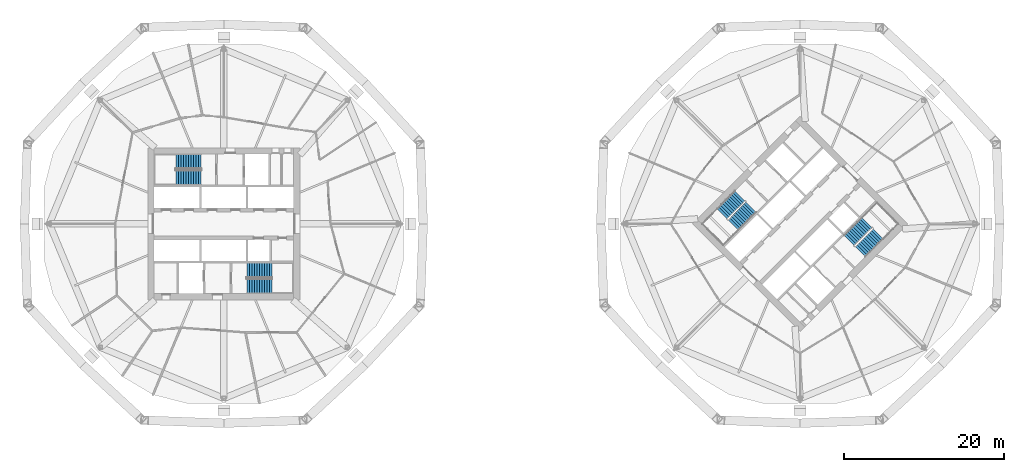
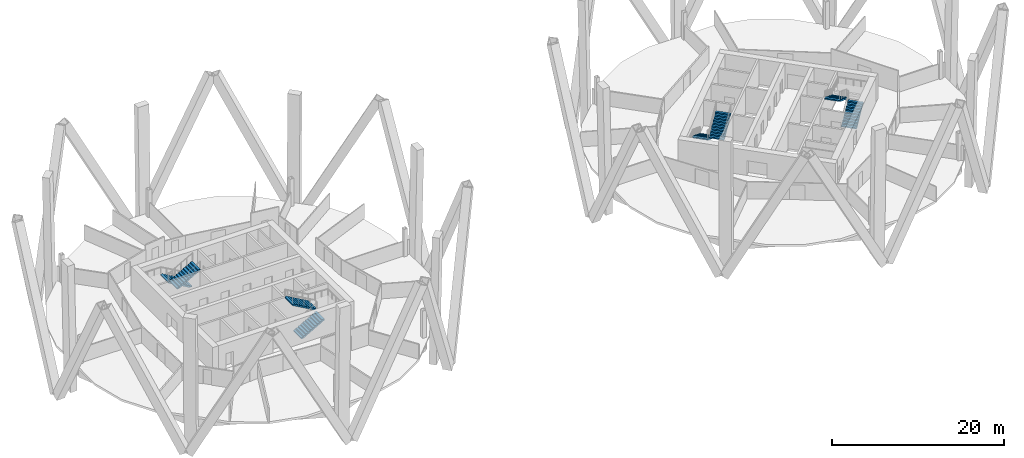
# One storey, part 8 of 10: 8 stair flights, 4 elements without a shape of their own.
"""IFC4 building model written with IfcOpenShell, lengths in metres."""

from ifc_helpers import new_model, si_unit, direction, frame, origin, place, context, subcontext, project, spatial, polyline, outline, extrude, material, type_object, element, aggregate, save


model = new_model("IFC4")

# Units and contexts
model_context = context("Model", 3, precision=1e-05, world=origin(), true_north=direction((0.0, 1.0)))
body_context = subcontext(model_context, "Body", "Model", "MODEL_VIEW")
ifc_project = project(units=[si_unit("LENGTHUNIT", "METRE"), si_unit("AREAUNIT", "SQUARE_METRE"), si_unit("VOLUMEUNIT", "CUBIC_METRE"), si_unit("PLANEANGLEUNIT", "RADIAN"), si_unit("MASSUNIT", "GRAM", prefix="KILO")], contexts=[model_context])

# Site, building, storey
site_placement = place(None, origin())
site = spatial("IfcSite", under=ifc_project, at=site_placement, CompositionType="ELEMENT")
building_placement = place(site_placement, origin())
building = spatial("IfcBuilding", under=site, at=building_placement, Name="Ogive Gate Towers", CompositionType="ELEMENT")
storey_placement = place(building_placement, frame((0.0, 0.0, 36.300048828125)))
storey = spatial("IfcBuildingStorey", under=building, at=storey_placement, Name="L07", CompositionType="ELEMENT", Elevation=36.300048828125)

# Stair, stair flights
ifc_material = material(Name="Concrete C40/50", Category="concrete")
stair_type = type_object("IfcStairType", Name="Escape stair 1840 wide", PredefinedType="HALF_TURN_STAIR", material=ifc_material)
stair_1_placement = place(storey_placement, origin())
stair_1 = element("IfcStair", 1, at=stair_1_placement, inside=storey, type_object=stair_type, Name="L07 Escape stair 1", PredefinedType="HALF_TURN_STAIR")
stair_flight_type = type_object("IfcStairFlightType", Name="Stair flight 1840 wide", PredefinedType="STRAIGHT", material=ifc_material)
stair_flight_1_placement = place(storey_placement, frame((-38.864990234375, 7.780029296875, 0.0), z_axis=(0.0, 0.0, 1.0), x_axis=(-1.0, 0.0, 0.0)))
stair_flight_1 = element("IfcStairFlight", 2, at=stair_flight_1_placement, type_object=stair_flight_type, Name="ST1 flight 1", NumberOfRisers=11, NumberOfTreads=10, PredefinedType="STRAIGHT", RiserHeight=0.177272727, TreadLength=0.313636364, context=body_context, shape_type="SweptSolid", body=[
    extrude(outline(polyline([(0.0, 0.0), (0.0, 0.17724609375), (0.313720703125, 0.17724609375), (0.313720703125, 0.3544921875), (0.627197265625, 0.3544921875), (0.627197265625, 0.53173828125), (0.94091796875, 0.53173828125), (0.94091796875, 0.708984375), (1.254638671875, 0.708984375), (1.254638671875, 0.886474609375), (1.568115234375, 0.886474609375), (1.568115234375, 1.063720703125), (1.8818359375, 1.063720703125), (1.8818359375, 1.240966796875), (2.195556640625, 1.240966796875), (2.195556640625, 1.418212890625), (2.509033203125, 1.418212890625), (2.509033203125, 1.595458984375), (2.82275390625, 1.595458984375), (2.82275390625, 1.772705078125), (3.136474609375, 1.772705078125), (3.136474609375, 1.949951171875), (3.136474609375, 1.6005859375), (0.3046875, 0.0), (0.0, 0.0)])), frame((0.0, 0.919921875, 0.0), z_axis=(0.0, -1.0, 0.0), x_axis=(1.0, 0.0, 0.0)), (0.0, 0.0, 1.0), 1.840087890625),
])
stair_flight_2_placement = place(storey_placement, frame((-42.00146484375, 5.794921875, 1.949951171875), z_axis=(0.0, 0.0, 1.0), x_axis=(1.0, 0.0, 0.0)))
stair_flight_2 = element("IfcStairFlight", 3, at=stair_flight_2_placement, type_object=stair_flight_type, Name="ST1 flight 2", NumberOfRisers=11, NumberOfTreads=10, PredefinedType="STRAIGHT", RiserHeight=0.177272727, TreadLength=0.313636364, context=body_context, shape_type="SweptSolid", body=[
    extrude(outline(polyline([(0.0, 0.0), (0.0, 0.17724609375), (0.313720703125, 0.17724609375), (0.313720703125, 0.3544921875), (0.627197265625, 0.3544921875), (0.627197265625, 0.53173828125), (0.94091796875, 0.53173828125), (0.94091796875, 0.708984375), (1.254638671875, 0.708984375), (1.254638671875, 0.886474609375), (1.568115234375, 0.886474609375), (1.568115234375, 1.063720703125), (1.8818359375, 1.063720703125), (1.8818359375, 1.240966796875), (2.195556640625, 1.240966796875), (2.195556640625, 1.418212890625), (2.509033203125, 1.418212890625), (2.509033203125, 1.595458984375), (2.82275390625, 1.595458984375), (2.82275390625, 1.772705078125), (3.136474609375, 1.772705078125), (3.136474609375, 1.949951171875), (3.136474609375, 1.6005859375), (0.3046875, 0.0), (0.0, 0.0)])), frame((0.0, 0.919921875, 0.0), z_axis=(0.0, -1.0, 0.0), x_axis=(1.0, 0.0, 0.0)), (0.0, 0.0, 1.0), 1.840087890625),
])
aggregate(stair_1, [stair_flight_1, stair_flight_2])

stair_2_placement = place(storey_placement, origin())
stair_2 = element("IfcStair", 4, at=stair_2_placement, inside=storey, type_object=stair_type, Name="L07 Escape stair 2", PredefinedType="HALF_TURN_STAIR")
stair_flight_3_placement = place(storey_placement, frame((-33.135009765625, -7.780029296875, 0.0), z_axis=(0.0, 0.0, 1.0), x_axis=(1.0, 0.0, 0.0)))
stair_flight_3 = element("IfcStairFlight", 5, at=stair_flight_3_placement, type_object=stair_flight_type, Name="ST2 flight 1", NumberOfRisers=11, NumberOfTreads=10, PredefinedType="STRAIGHT", RiserHeight=0.177272727, TreadLength=0.313636364, context=body_context, shape_type="SweptSolid", body=[
    extrude(outline(polyline([(0.0, 0.0), (0.0, 0.17724609375), (0.313720703125, 0.17724609375), (0.313720703125, 0.3544921875), (0.627197265625, 0.3544921875), (0.627197265625, 0.53173828125), (0.94091796875, 0.53173828125), (0.94091796875, 0.708984375), (1.254638671875, 0.708984375), (1.254638671875, 0.886474609375), (1.568115234375, 0.886474609375), (1.568115234375, 1.063720703125), (1.8818359375, 1.063720703125), (1.8818359375, 1.240966796875), (2.195556640625, 1.240966796875), (2.195556640625, 1.418212890625), (2.509033203125, 1.418212890625), (2.509033203125, 1.595458984375), (2.82275390625, 1.595458984375), (2.82275390625, 1.772705078125), (3.136474609375, 1.772705078125), (3.136474609375, 1.949951171875), (3.136474609375, 1.6005859375), (0.3046875, 0.0), (0.0, 0.0)])), frame((0.0, 0.919921875, 0.0), z_axis=(0.0, -1.0, 0.0), x_axis=(1.0, 0.0, 0.0)), (0.0, 0.0, 1.0), 1.840087890625),
])
stair_flight_4_placement = place(storey_placement, frame((-29.99853515625, -5.794921875, 1.949951171875), z_axis=(0.0, 0.0, 1.0), x_axis=(-1.0, 0.0, 0.0)))
stair_flight_4 = element("IfcStairFlight", 6, at=stair_flight_4_placement, type_object=stair_flight_type, Name="ST2 flight 2", NumberOfRisers=11, NumberOfTreads=10, PredefinedType="STRAIGHT", RiserHeight=0.177272727, TreadLength=0.313636364, context=body_context, shape_type="SweptSolid", body=[
    extrude(outline(polyline([(0.0, 0.0), (0.0, 0.17724609375), (0.313720703125, 0.17724609375), (0.313720703125, 0.3544921875), (0.627197265625, 0.3544921875), (0.627197265625, 0.53173828125), (0.94091796875, 0.53173828125), (0.94091796875, 0.708984375), (1.254638671875, 0.708984375), (1.254638671875, 0.886474609375), (1.568115234375, 0.886474609375), (1.568115234375, 1.063720703125), (1.8818359375, 1.063720703125), (1.8818359375, 1.240966796875), (2.195556640625, 1.240966796875), (2.195556640625, 1.418212890625), (2.509033203125, 1.418212890625), (2.509033203125, 1.595458984375), (2.82275390625, 1.595458984375), (2.82275390625, 1.772705078125), (3.136474609375, 1.772705078125), (3.136474609375, 1.949951171875), (3.136474609375, 1.6005859375), (0.3046875, 0.0), (0.0, 0.0)])), frame((0.0, 0.919921875, 0.0), z_axis=(0.0, -1.0, 0.0), x_axis=(1.0, 0.0, 0.0)), (0.0, 0.0, 1.0), 1.840087890625),
])
aggregate(stair_2, [stair_flight_3, stair_flight_4])

stair_3_placement = place(storey_placement, origin())
stair_3 = element("IfcStair", 7, at=stair_3_placement, inside=storey, type_object=stair_type, Name="L07 Escape stair 1", PredefinedType="HALF_TURN_STAIR")
stair_flight_5_placement = place(storey_placement, frame((28.472900390625, 3.475341796875, 0.0), z_axis=(0.0, 0.0, 1.0), x_axis=(-0.707106781187, -0.707106781187, 0.0)))
stair_flight_5 = element("IfcStairFlight", 8, at=stair_flight_5_placement, type_object=stair_flight_type, Name="ST1 flight 1", NumberOfRisers=11, NumberOfTreads=10, PredefinedType="STRAIGHT", RiserHeight=0.177272727, TreadLength=0.313636364, context=body_context, shape_type="SweptSolid", body=[
    extrude(outline(polyline([(0.0, 0.0), (0.0, 0.17724609375), (0.313720703125, 0.17724609375), (0.313720703125, 0.3544921875), (0.627197265625, 0.3544921875), (0.627197265625, 0.53173828125), (0.94091796875, 0.53173828125), (0.94091796875, 0.708984375), (1.254638671875, 0.708984375), (1.254638671875, 0.886474609375), (1.568115234375, 0.886474609375), (1.568115234375, 1.063720703125), (1.8818359375, 1.063720703125), (1.8818359375, 1.240966796875), (2.195556640625, 1.240966796875), (2.195556640625, 1.418212890625), (2.509033203125, 1.418212890625), (2.509033203125, 1.595458984375), (2.82275390625, 1.595458984375), (2.82275390625, 1.772705078125), (3.136474609375, 1.772705078125), (3.136474609375, 1.949951171875), (3.136474609375, 1.6005859375), (0.3046875, 0.0), (0.0, 0.0)])), frame((0.0, 0.919921875, 0.0), z_axis=(0.0, -1.0, 0.0), x_axis=(1.0, 0.0, 0.0)), (0.0, 0.0, 1.0), 1.840087890625),
])
stair_flight_6_placement = place(storey_placement, frame((27.65869140625, -0.14599609375, 1.949951171875), z_axis=(0.0, 0.0, 1.0), x_axis=(0.707106781187, 0.707106781187, 0.0)))
stair_flight_6 = element("IfcStairFlight", 9, at=stair_flight_6_placement, type_object=stair_flight_type, Name="ST1 flight 2", NumberOfRisers=11, NumberOfTreads=10, PredefinedType="STRAIGHT", RiserHeight=0.177272727, TreadLength=0.313636364, context=body_context, shape_type="SweptSolid", body=[
    extrude(outline(polyline([(0.0, 0.0), (0.0, 0.17724609375), (0.313720703125, 0.17724609375), (0.313720703125, 0.3544921875), (0.627197265625, 0.3544921875), (0.627197265625, 0.53173828125), (0.94091796875, 0.53173828125), (0.94091796875, 0.708984375), (1.254638671875, 0.708984375), (1.254638671875, 0.886474609375), (1.568115234375, 0.886474609375), (1.568115234375, 1.063720703125), (1.8818359375, 1.063720703125), (1.8818359375, 1.240966796875), (2.195556640625, 1.240966796875), (2.195556640625, 1.418212890625), (2.509033203125, 1.418212890625), (2.509033203125, 1.595458984375), (2.82275390625, 1.595458984375), (2.82275390625, 1.772705078125), (3.136474609375, 1.772705078125), (3.136474609375, 1.949951171875), (3.136474609375, 1.6005859375), (0.3046875, 0.0), (0.0, 0.0)])), frame((0.0, 0.919921875, 0.0), z_axis=(0.0, -1.0, 0.0), x_axis=(1.0, 0.0, 0.0)), (0.0, 0.0, 1.0), 1.840087890625),
])
aggregate(stair_3, [stair_flight_5, stair_flight_6])

stair_4_placement = place(storey_placement, origin())
stair_4 = element("IfcStair", 10, at=stair_4_placement, inside=storey, type_object=stair_type, Name="L07 Escape stair 2", PredefinedType="HALF_TURN_STAIR")
stair_flight_7_placement = place(storey_placement, frame((43.527099609375, -3.475341796875, 0.0), z_axis=(0.0, 0.0, 1.0), x_axis=(0.707106781187, 0.707106781187, 0.0)))
stair_flight_7 = element("IfcStairFlight", 11, at=stair_flight_7_placement, type_object=stair_flight_type, Name="ST2 flight 1", NumberOfRisers=11, NumberOfTreads=10, PredefinedType="STRAIGHT", RiserHeight=0.177272727, TreadLength=0.313636364, context=body_context, shape_type="SweptSolid", body=[
    extrude(outline(polyline([(0.0, 0.0), (0.0, 0.17724609375), (0.313720703125, 0.17724609375), (0.313720703125, 0.3544921875), (0.627197265625, 0.3544921875), (0.627197265625, 0.53173828125), (0.94091796875, 0.53173828125), (0.94091796875, 0.708984375), (1.254638671875, 0.708984375), (1.254638671875, 0.886474609375), (1.568115234375, 0.886474609375), (1.568115234375, 1.063720703125), (1.8818359375, 1.063720703125), (1.8818359375, 1.240966796875), (2.195556640625, 1.240966796875), (2.195556640625, 1.418212890625), (2.509033203125, 1.418212890625), (2.509033203125, 1.595458984375), (2.82275390625, 1.595458984375), (2.82275390625, 1.772705078125), (3.136474609375, 1.772705078125), (3.136474609375, 1.949951171875), (3.136474609375, 1.6005859375), (0.3046875, 0.0), (0.0, 0.0)])), frame((0.0, 0.919921875, 0.0), z_axis=(0.0, -1.0, 0.0), x_axis=(1.0, 0.0, 0.0)), (0.0, 0.0, 1.0), 1.840087890625),
])
stair_flight_8_placement = place(storey_placement, frame((44.34130859375, 0.14599609375, 1.949951171875), z_axis=(0.0, 0.0, 1.0), x_axis=(-0.707106781187, -0.707106781187, 0.0)))
stair_flight_8 = element("IfcStairFlight", 12, at=stair_flight_8_placement, type_object=stair_flight_type, Name="ST2 flight 2", NumberOfRisers=11, NumberOfTreads=10, PredefinedType="STRAIGHT", RiserHeight=0.177272727, TreadLength=0.313636364, context=body_context, shape_type="SweptSolid", body=[
    extrude(outline(polyline([(0.0, 0.0), (0.0, 0.17724609375), (0.313720703125, 0.17724609375), (0.313720703125, 0.3544921875), (0.627197265625, 0.3544921875), (0.627197265625, 0.53173828125), (0.94091796875, 0.53173828125), (0.94091796875, 0.708984375), (1.254638671875, 0.708984375), (1.254638671875, 0.886474609375), (1.568115234375, 0.886474609375), (1.568115234375, 1.063720703125), (1.8818359375, 1.063720703125), (1.8818359375, 1.240966796875), (2.195556640625, 1.240966796875), (2.195556640625, 1.418212890625), (2.509033203125, 1.418212890625), (2.509033203125, 1.595458984375), (2.82275390625, 1.595458984375), (2.82275390625, 1.772705078125), (3.136474609375, 1.772705078125), (3.136474609375, 1.949951171875), (3.136474609375, 1.6005859375), (0.3046875, 0.0), (0.0, 0.0)])), frame((0.0, 0.919921875, 0.0), z_axis=(0.0, -1.0, 0.0), x_axis=(1.0, 0.0, 0.0)), (0.0, 0.0, 1.0), 1.840087890625),
])
aggregate(stair_4, [stair_flight_7, stair_flight_8])

save(model, "model.ifc")
